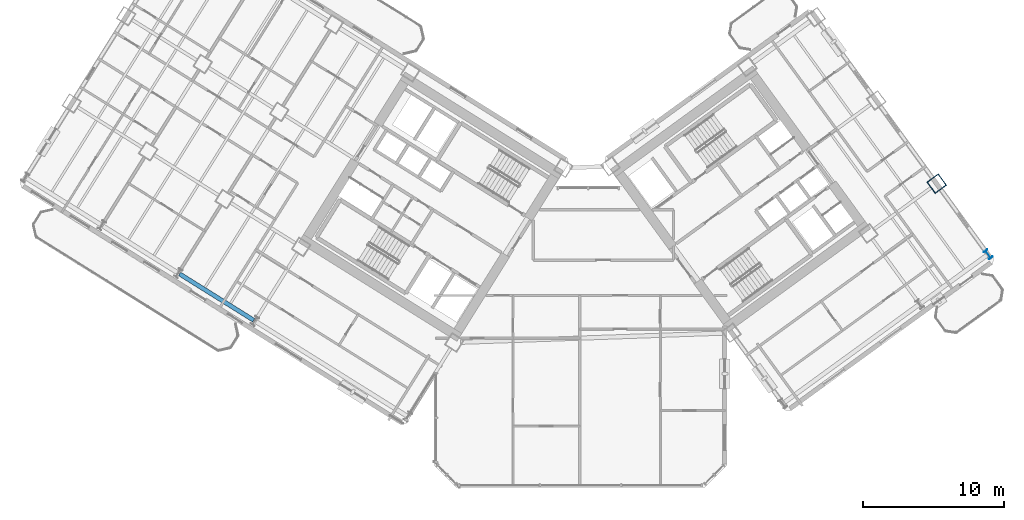
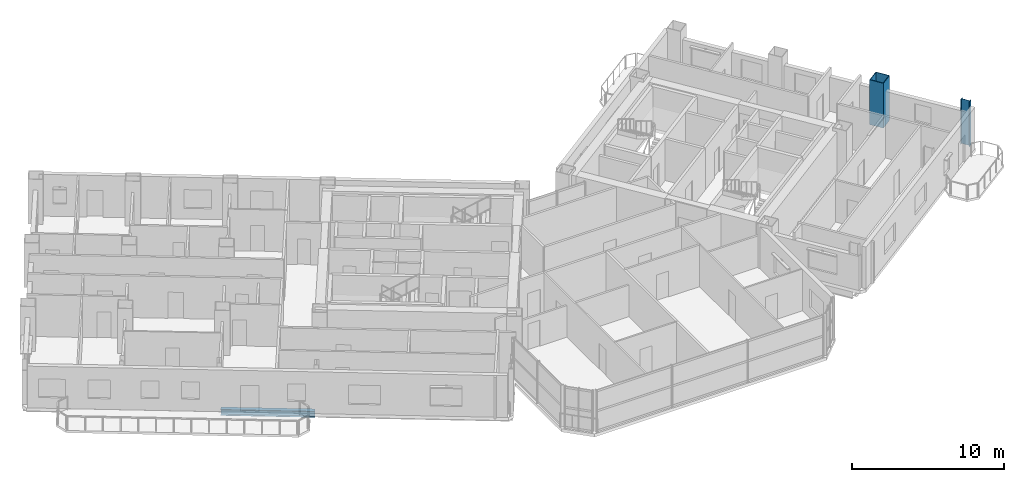
# One storey, part 4 of 25: 2 columns, 1 beam.
"""IFC4 building model written with IfcOpenShell, lengths in metres."""

from ifc_helpers import new_model, si_unit, direction, frame, origin, origin_2d, place, context, subcontext, project, spatial, hollow_rectangle, i_section, extrude, source, transform, mapped, material, material_profile, profile_set, type_object, element, save


model = new_model("IFC4")

# Units and contexts
model_context = context("Model", 3, precision=1e-05, world=origin(), true_north=direction((0.0, 1.0)))
body_context = subcontext(model_context, "Body", "Model", "MODEL_VIEW")
ifc_project = project(units=[si_unit("LENGTHUNIT", "METRE"), si_unit("AREAUNIT", "SQUARE_METRE"), si_unit("VOLUMEUNIT", "CUBIC_METRE"), si_unit("PLANEANGLEUNIT", "RADIAN"), si_unit("MASSUNIT", "GRAM", prefix="KILO")], contexts=[model_context])

# Site, building, storey
site_placement = place(None, origin())
site = spatial("IfcSite", under=ifc_project, at=site_placement, CompositionType="ELEMENT")
building_placement = place(site_placement, origin())
building = spatial("IfcBuilding", under=site, at=building_placement, Name="Tlacorven Tower", CompositionType="ELEMENT")
storey_placement = place(building_placement, frame((0.0, 0.0, 52.800048828125)))
storey = spatial("IfcBuildingStorey", under=building, at=storey_placement, Name="L13", CompositionType="ELEMENT", Elevation=52.800048828125)

# Columns
ifc_material_1 = material(Name="Steel S460M", Category="steel")
ifc_material_profile_1 = material_profile(ifc_material_1, hollow_rectangle(XDim=1.0, YDim=1.0, WallThickness=0.0400390625, at=origin_2d()), Name="BOX 1000X1000X40")
ifc_profile_set_1 = profile_set([ifc_material_profile_1], Name="Steel S460M")
column_type_1 = type_object("IfcColumnType", Name="COL-TWR-S1", PredefinedType="COLUMN", material=ifc_profile_set_1)
shared_shape_1 = source(origin(), body_context, "Body", "SweptSolid", [
    extrude(hollow_rectangle(XDim=1.0, YDim=1.0, WallThickness=0.0400390625, at=origin_2d()), origin(), (0.0, 0.0, 1.0), 3.599853515625),
])
column_1_placement = place(storey_placement, frame((67.267822265625, 23.353515625, 0.0), z_axis=(0.0, 0.0, 1.0), x_axis=(0.809016994375, 0.587785252292, 0.0)))
element("IfcColumn", 1, at=column_1_placement, inside=storey, type_object=column_type_1, Name="L13 column COL-L13-E4-2", PredefinedType="COLUMN", context=body_context, shape_type="MappedRepresentation", body=[
    mapped(shared_shape_1, transform((0.0, 0.0, 0.0), scale=1.0)),
])
ifc_material_profile_2 = material_profile(ifc_material_1, i_section(OverallWidth=0.300048828125, OverallDepth=0.64990234375, WebThickness=0.01611328125, FlangeThickness=0.031005859375, at=origin_2d()), Name="HEB 650")
ifc_profile_set_2 = profile_set([ifc_material_profile_2], Name="Steel S460M")
column_type_2 = type_object("IfcColumnType", Name="COL-TWR-P1", PredefinedType="COLUMN", material=ifc_profile_set_2)
shared_shape_2 = source(origin(), body_context, "Body", "SweptSolid", [
    extrude(i_section(OverallWidth=0.300048828125, OverallDepth=0.64990234375, WebThickness=0.01611328125, FlangeThickness=0.031005859375, at=origin_2d()), origin(), (0.0, 0.0, 1.0), 3.599853515625),
])
column_2_placement = place(storey_placement, frame((70.911865234375, 18.337646484375, 0.0), z_axis=(0.0, 0.0, 1.0), x_axis=(0.809016994375, 0.587785252292, 0.0)))
element("IfcColumn", 2, at=column_2_placement, inside=storey, type_object=column_type_2, Name="L13 column COL-L13-E4-1", PredefinedType="COLUMN", context=body_context, shape_type="MappedRepresentation", body=[
    mapped(shared_shape_2, transform((0.0, 0.0, 0.0), scale=1.0)),
])

# Beam
ifc_material_2 = material(Name="Steel S355J2", Category="steel")
ifc_material_profile_3 = material_profile(ifc_material_2, i_section(OverallWidth=0.300048828125, OverallDepth=0.489990234375, WebThickness=0.011962890625, FlangeThickness=0.02294921875, at=origin_2d()), Name="HEA 500")
ifc_profile_set_3 = profile_set([ifc_material_profile_3], Name="Steel S355J2")
beam_type = type_object("IfcBeamType", Name="BM-SPN-500", PredefinedType="SPANDREL", material=ifc_profile_set_3)
shared_shape_3 = source(origin(), body_context, "Body", "SweptSolid", [
    extrude(i_section(OverallWidth=0.300048828125, OverallDepth=0.489990234375, WebThickness=0.011962890625, FlangeThickness=0.02294921875, at=origin_2d()), origin(), (0.0, 0.0, 1.0), 6.199951171875),
])
beam_placement = place(storey_placement, frame((18.82080078125, 13.6650390625, -0.4951171875), z_axis=(-0.848051394107, 0.529913986372, 0.0), x_axis=(-0.529913986372, -0.848051394107, 0.0)))
element("IfcBeam", 3, at=beam_placement, inside=storey, type_object=beam_type, Name="L13 beam BM-L13-WL4-3", PredefinedType="SPANDREL", context=body_context, shape_type="MappedRepresentation", body=[
    mapped(shared_shape_3, transform((0.0, 0.0, 0.0), scale=1.0)),
])

save(model, "model.ifc")
